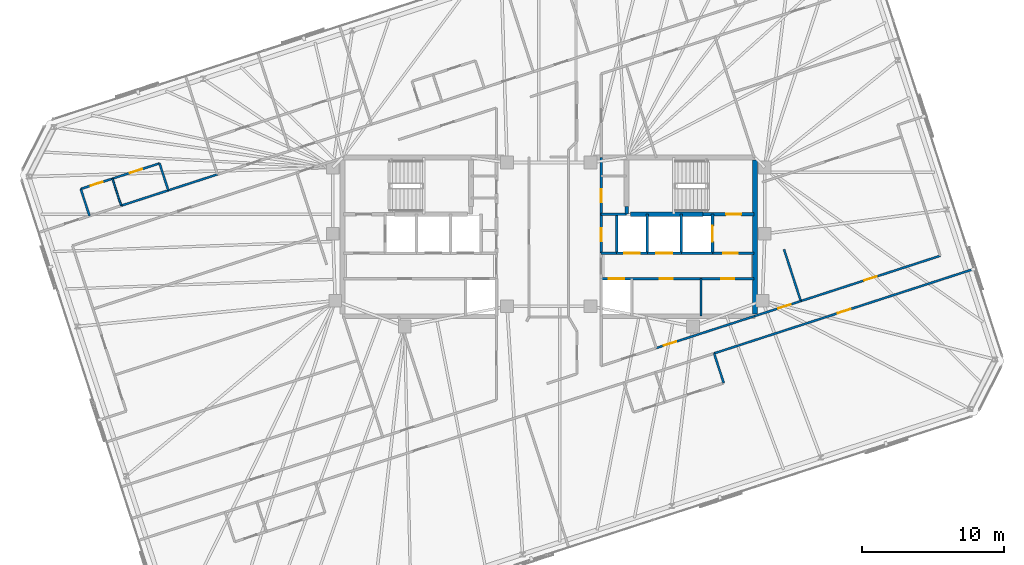
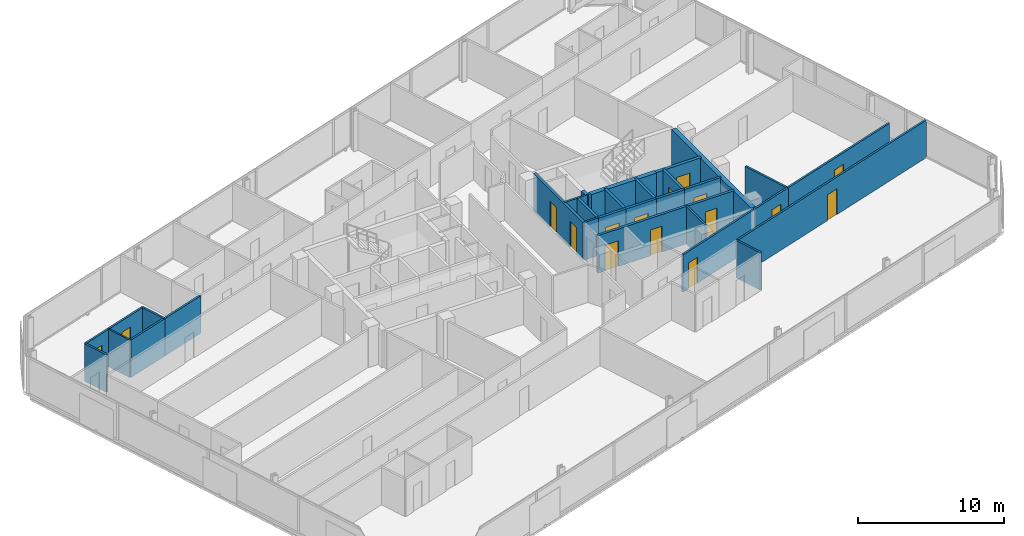
# One storey, part 15 of 19: 30 walls, 16 doors, 16 openings.
"""IFC4 building model written with IfcOpenShell, lengths in metres."""

import ifcopenshell
import ifcopenshell.guid

model = None  # the IFC model being written
_history = None  # IfcOwnerHistory: only IFC2X3 demands one
_inside = {}  # id of a spatial element -> (the spatial element, [elements in it])
_under = {}  # id of a project, library or spatial element -> (it, [spatial elements below it])
_declared = {}  # id of a project -> (the project, [libraries it declares])
_typed = {}  # id of a type object -> (the type object, [elements of that type])
_made_of = {}  # id of a material, layer set ... -> (it, [elements and type objects made of it])


def new_model(schema):
    """Start an empty IFC model of exactly this schema.

    Asked for "IFC4X3", IfcOpenShell would pick the latest addendum, in which some entities
    have other attributes; the version numbers below select the first issue.
    IFC2X3 requires an IfcOwnerHistory on every rooted entity: one is made here for all.
    """
    global model, _history
    if schema == "IFC4X3":
        model = ifcopenshell.file(schema_version=(4, 3, 0, 0))
    else:
        model = ifcopenshell.file(schema=schema)
    _inside.clear()
    _under.clear()
    _declared.clear()
    _typed.clear()
    _made_of.clear()
    _history = None
    if model.schema == "IFC2X3":
        org = make("IfcOrganization", Name="unknown")
        user = make(
            "IfcPersonAndOrganization",
            ThePerson=make("IfcPerson", FamilyName="unknown"),
            TheOrganization=org,
        )
        app = make(
            "IfcApplication",
            ApplicationDeveloper=org,
            Version="unknown",
            ApplicationFullName="unknown",
            ApplicationIdentifier="unknown",
        )
        _history = make(
            "IfcOwnerHistory",
            OwningUser=user,
            OwningApplication=app,
            ChangeAction="ADDED",
            CreationDate=0,
        )
    return model


def make(cls, **values):
    """One entity of the class cls with the attributes given. An attribute that is None is left unset."""
    return model.create_entity(
        cls, **{name: value for name, value in values.items() if value is not None}
    )


def rooted(cls, **values):
    """An entity with a GlobalId (a new one), such as an element, a storey or a relation."""
    return make(cls, GlobalId=ifcopenshell.guid.new(), OwnerHistory=_history, **values)


def si_unit(unit_type, name, prefix=None):
    """IfcSIUnit, for example si_unit("LENGTHUNIT", "METRE", prefix="MILLI")."""
    return make("IfcSIUnit", UnitType=unit_type, Prefix=prefix, Name=name)


def assignment(units):
    """IfcUnitAssignment: the units of a project."""
    return None if units is None else make("IfcUnitAssignment", Units=units)


def point(xyz):
    """IfcCartesianPoint."""
    return None if xyz is None else make("IfcCartesianPoint", Coordinates=xyz)


def direction(xyz):
    """IfcDirection."""
    return None if xyz is None else make("IfcDirection", DirectionRatios=xyz)


def frame(location, z_axis=None, x_axis=None):
    """IfcAxis2Placement3D, a coordinate frame: its origin and axes. An axis left out is left unset."""
    return make(
        "IfcAxis2Placement3D",
        Location=point(location),
        Axis=direction(z_axis),
        RefDirection=direction(x_axis),
    )


def frame_2d(location, x_axis=None):
    """IfcAxis2Placement2D, a coordinate frame in the plane: its origin and x axis."""
    return make(
        "IfcAxis2Placement2D", Location=point(location), RefDirection=direction(x_axis)
    )


def origin():
    """The frame at (0, 0, 0) with its axes left unset."""
    return frame((0.0, 0.0, 0.0))


def place(relative_to, where):
    """IfcLocalPlacement: puts the frame where relative to a parent placement (None: the world)."""
    return make(
        "IfcLocalPlacement", PlacementRelTo=relative_to, RelativePlacement=where
    )


def context(
    kind, dimensions, precision=None, world=None, true_north=None, identifier=None
):
    """IfcGeometricRepresentationContext, for example the 3D "Model" context."""
    return make(
        "IfcGeometricRepresentationContext",
        ContextIdentifier=identifier,
        ContextType=kind,
        CoordinateSpaceDimension=dimensions,
        Precision=precision,
        WorldCoordinateSystem=world,
        TrueNorth=true_north,
    )


def subcontext(parent, identifier, kind, view, scale=None):
    """IfcGeometricRepresentationSubContext, for example "Body" below "Model"."""
    return make(
        "IfcGeometricRepresentationSubContext",
        ContextIdentifier=identifier,
        ContextType=kind,
        ParentContext=parent,
        TargetScale=scale,
        TargetView=view,
    )


def project(units=None, contexts=None):
    """IfcProject with its units and contexts."""
    return rooted(
        "IfcProject",
        Name="project",
        RepresentationContexts=contexts,
        UnitsInContext=assignment(units),
    )


def spatial(cls, under=None, at=None, **own):
    """A site, building, storey or space (cls), placed at a placement, below another one or the project."""
    s = rooted(cls, ObjectPlacement=at, **own)
    if under is not None:
        _under.setdefault(under.id(), (under, []))[1].append(s)
    return s


def profile(cls, at=None, kind="AREA", **sizes):
    """A parametric profile (cls). Its sizes go by their IFC names, for example OverallWidth=200.0."""
    return make(cls, ProfileType=kind, Position=at, **sizes)


def rectangle(**sizes):
    """IfcRectangleProfileDef."""
    return profile("IfcRectangleProfileDef", **sizes)


def extrude(swept, where, along, depth):
    """IfcExtrudedAreaSolid: the profile swept, set in the frame where, extruded along a direction by depth."""
    return make(
        "IfcExtrudedAreaSolid",
        SweptArea=swept,
        Position=where,
        ExtrudedDirection=direction(along),
        Depth=depth,
    )


def shape(context_of_items, identifier, shape_type, items):
    """IfcShapeRepresentation: the items that make up one representation, for example the "Body"."""
    return make(
        "IfcShapeRepresentation",
        ContextOfItems=context_of_items,
        RepresentationIdentifier=identifier,
        RepresentationType=shape_type,
        Items=items,
    )


def material(Name=None, Category=None):
    """IfcMaterial."""
    return make("IfcMaterial", Name=Name, Category=Category)


def layer(
    of_material, thickness, ventilated=None, Name=None, Category=None, Priority=None
):
    """IfcMaterialLayer: one layer of a wall or slab, of a material (None: an air gap)."""
    return make(
        "IfcMaterialLayer",
        Material=of_material,
        LayerThickness=thickness,
        IsVentilated=ventilated,
        Name=Name,
        Category=Category,
        Priority=Priority,
    )


def layer_set(layers, Name=None):
    """IfcMaterialLayerSet."""
    return make("IfcMaterialLayerSet", MaterialLayers=layers, LayerSetName=Name)


def made_of(thing, what):
    """Note that an element or type object is made of a material, layer set ...; save() writes the relation."""
    if what is not None:
        _made_of.setdefault(what.id(), (what, []))[1].append(thing)
    return thing


def type_object(cls, material=None, **own):
    """A type object (cls), such as IfcWallType, which elements share."""
    return made_of(rooted(cls, **own), material)


def element(
    cls,
    number,
    at=None,
    inside=None,
    cuts=None,
    type_object=None,
    material=None,
    context=None,
    identifier="Body",
    shape_type=None,
    held_by="IfcProductDefinitionShape",
    body=None,
    shapes=None,
    **own,
):
    """One element of the class cls, such as IfcWall. Its Tag is "e" and its number.

    at: its placement. inside: the storey or other place that contains it. cuts: it is an
    opening in that element (IfcRelVoidsElement). A single representation is given by context,
    identifier, shape_type and body (its items); several are given by shapes. held_by: the class
    of the entity that holds the representations. save() writes the other relations.
    """
    e = rooted(cls, Tag="e%d" % number, ObjectPlacement=at, **own)
    if body is not None:
        shapes = [shape(context, identifier, shape_type, body)]
    if shapes is not None:
        e.Representation = make(held_by, Representations=shapes)
    if inside is not None:
        _inside.setdefault(inside.id(), (inside, []))[1].append(e)
    if cuts is not None:
        rooted(
            "IfcRelVoidsElement", RelatingBuildingElement=cuts, RelatedOpeningElement=e
        )
    if type_object is not None:
        _typed.setdefault(type_object.id(), (type_object, []))[1].append(e)
    return made_of(e, material)


def fill(opening, filler):
    """IfcRelFillsElement: the door or window that sits in an opening."""
    return rooted(
        "IfcRelFillsElement",
        RelatingOpeningElement=opening,
        RelatedBuildingElement=filler,
    )


def aggregate(whole, parts):
    """IfcRelAggregates: a whole, such as a stair, and the parts it consists of."""
    return rooted("IfcRelAggregates", RelatingObject=whole, RelatedObjects=parts)


def save(model, path):
    """Write the relations noted so far, then the file.

    IfcRelAggregates (storeys below a building ...), IfcRelContainedInSpatialStructure (elements
    in a storey), IfcRelDefinesByType, IfcRelAssociatesMaterial and IfcRelDeclares: one each for
    every whole, place, type object, material and project.
    """
    for whole, parts in _under.values():
        aggregate(whole, parts)
    for where, things in _inside.values():
        rooted(
            "IfcRelContainedInSpatialStructure",
            RelatedElements=things,
            RelatingStructure=where,
        )
    for kind, things in _typed.values():
        rooted("IfcRelDefinesByType", RelatedObjects=things, RelatingType=kind)
    for what, things in _made_of.values():
        rooted("IfcRelAssociatesMaterial", RelatedObjects=things, RelatingMaterial=what)
    for by, libraries in _declared.values():
        rooted("IfcRelDeclares", RelatingContext=by, RelatedDefinitions=libraries)
    model.write(path)


model = new_model("IFC4")

# Units and contexts
model_context = context("Model", 3, precision=1e-05, world=origin(), true_north=direction((0.0, 1.0)))
body_context = subcontext(model_context, "Body", "Model", "MODEL_VIEW")
ifc_project = project(units=[si_unit("LENGTHUNIT", "METRE"), si_unit("AREAUNIT", "SQUARE_METRE"), si_unit("VOLUMEUNIT", "CUBIC_METRE"), si_unit("PLANEANGLEUNIT", "RADIAN"), si_unit("MASSUNIT", "GRAM", prefix="KILO")], contexts=[model_context])

# Site, building, storey
site_placement = place(None, origin())
site = spatial("IfcSite", under=ifc_project, at=site_placement, CompositionType="ELEMENT")
building_placement = place(site_placement, origin())
building = spatial("IfcBuilding", under=site, at=building_placement, Name="Menara Jurai Vektor", CompositionType="ELEMENT")
storey_placement = place(building_placement, frame((0.0, 0.0, 210.89990234375)))
storey = spatial("IfcBuildingStorey", under=building, at=storey_placement, Name="L55", CompositionType="ELEMENT", Elevation=210.89990234375)

# Wall, opening, door
ifc_material_1 = material(Name="Concrete C40/50", Category="concrete")
ifc_layer_1 = layer(ifc_material_1, 0.25)
ifc_layer_set_1 = layer_set([ifc_layer_1], Name="Concrete C40/50")
wall_type_1 = type_object("IfcWallType", Name="INT-WALL-CORE-250", PredefinedType="STANDARD", material=ifc_layer_set_1)
wall_1_placement = place(storey_placement, frame((10.89990234375, 1.60009765625, 0.0), z_axis=(0.0, 0.0, 1.0), x_axis=(1.0, 0.0, 0.0)))
wall_1 = element("IfcWall", 1, at=wall_1_placement, inside=storey, type_object=wall_type_1, Name="Interior Wall IW-250 L55", PredefinedType="STANDARD", context=body_context, shape_type="SweptSolid", body=[
    extrude(rectangle(XDim=3.60009765625, YDim=0.25, at=frame_2d((1.800048828125, 0.0))), origin(), (0.0, 0.0, 1.0), 3.125),
])
opening_1_placement = place(wall_1_placement, frame((1.6201171875, 0.0, 0.0)))
opening_1 = element("IfcOpeningElement", 2, at=opening_1_placement, cuts=wall_1, Name="Opening D-L55-ST2", PredefinedType="OPENING", context=body_context, shape_type="SweptSolid", body=[
    extrude(rectangle(XDim=1.050048828125, YDim=2.14990234375, at=frame_2d((0.52490234375, 1.074951171875))), frame((0.0, 0.135009765625, 0.0), z_axis=(0.0, -1.0, 0.0), x_axis=(1.0, 0.0, 0.0)), (0.0, 0.0, 1.0), 0.27001953125),
])
ifc_material_2 = material(Name="Fire-Rated Steel Door", Category="steel")
door_type_1 = type_object("IfcDoorType", Name="DR-STAIR-1050", OperationType="NOTDEFINED", PredefinedType="DOOR", material=ifc_material_2)
door_1_placement = place(opening_1_placement, origin())
door_1 = element("IfcDoor", 3, at=door_1_placement, inside=storey, type_object=door_type_1, Name="Exit Stair ST2 Door L55", OperationType="SINGLE_SWING_LEFT", OverallHeight=2.14990234375, OverallWidth=1.050048828125, PredefinedType="DOOR", context=body_context, shape_type="SweptSolid", body=[
    extrude(rectangle(XDim=1.050048828125, YDim=2.14990234375, at=frame_2d((0.52490234375, 1.074951171875))), frame((0.0, 0.02490234375, 0.0), z_axis=(0.0, -1.0, 0.0), x_axis=(1.0, 0.0, 0.0)), (0.0, 0.0, 1.0), 0.050048828125),
])
fill(opening_1, door_1)

# Wall
wall_2_placement = place(storey_placement, frame((5.5, 1.60009765625, 0.0), z_axis=(0.0, 0.0, 1.0), x_axis=(0.0, 1.0, 0.0)))
element("IfcWall", 4, at=wall_2_placement, inside=storey, type_object=wall_type_1, Name="Interior Wall IW-250 L55", PredefinedType="STANDARD", context=body_context, shape_type="SweptSolid", body=[
    extrude(rectangle(XDim=0.5498046875, YDim=0.25, at=frame_2d((0.27490234375, 0.0))), origin(), (0.0, 0.0, 1.0), 3.125),
])

# Wall, opening, door
wall_3_placement = place(storey_placement, frame((11.550048828125, -1.14990234375, 0.0), z_axis=(0.0, 0.0, 1.0), x_axis=(0.0, 1.0, 0.0)))
wall_3 = element("IfcWall", 5, at=wall_3_placement, inside=storey, type_object=wall_type_1, Name="Interior Wall IW-250 L55", PredefinedType="STANDARD", context=body_context, shape_type="SweptSolid", body=[
    extrude(rectangle(XDim=2.75, YDim=0.199951171875, at=frame_2d((1.375, 0.0))), origin(), (0.0, 0.0, 1.0), 3.125),
])
opening_2_placement = place(wall_3_placement, frame((0.824951171875, 0.0, 0.0)))
opening_2 = element("IfcOpeningElement", 6, at=opening_2_placement, cuts=wall_3, Name="Opening LD-L55-FL2", PredefinedType="OPENING", context=body_context, shape_type="SweptSolid", body=[
    extrude(rectangle(XDim=1.10009765625, YDim=2.14990234375, at=frame_2d((0.550048828125, 1.074951171875))), frame((0.0, 0.10986328125, 0.0), z_axis=(0.0, -1.0, 0.0), x_axis=(1.0, 0.0, 0.0)), (0.0, 0.0, 1.0), 0.219970703125),
])
ifc_material_3 = material(Name="Stainless Steel Sliding Lift Landing Door", Category="steel")
door_type_2 = type_object("IfcDoorType", Name="DR-LIFT-FIRE-1100", OperationType="NOTDEFINED", PredefinedType="DOOR", material=ifc_material_3)
door_2_placement = place(opening_2_placement, origin())
door_2 = element("IfcDoor", 7, at=door_2_placement, inside=storey, type_object=door_type_2, Name="Lift Landing Door FL2 L55", OperationType="SLIDING_TO_RIGHT", OverallHeight=2.14990234375, OverallWidth=1.10009765625, PredefinedType="DOOR", context=body_context, shape_type="SweptSolid", body=[
    extrude(rectangle(XDim=1.10009765625, YDim=2.14990234375, at=frame_2d((0.550048828125, 1.074951171875))), frame((0.0, 0.02490234375, 0.0), z_axis=(0.0, -1.0, 0.0), x_axis=(1.0, 0.0, 0.0)), (0.0, 0.0, 1.0), 0.050048828125),
])
fill(opening_2, door_2)

# Wall
wall_4_placement = place(storey_placement, frame((9.35009765625, -1.14990234375, 0.0), z_axis=(0.0, 0.0, 1.0), x_axis=(0.0, 1.0, 0.0)))
element("IfcWall", 8, at=wall_4_placement, inside=storey, type_object=wall_type_1, Name="Interior Wall IW-250 L55", PredefinedType="STANDARD", context=body_context, shape_type="SweptSolid", body=[
    extrude(rectangle(XDim=2.75, YDim=0.199951171875, at=frame_2d((1.375, 0.0))), origin(), (0.0, 0.0, 1.0), 3.125),
])

# Wall, opening, door
wall_5_placement = place(storey_placement, frame((11.550048828125, -1.14990234375, 0.0), z_axis=(0.0, 0.0, 1.0), x_axis=(1.0, 0.0, 0.0)))
wall_5 = element("IfcWall", 9, at=wall_5_placement, inside=storey, type_object=wall_type_1, Name="Interior Wall IW-250 L55", PredefinedType="STANDARD", context=body_context, shape_type="SweptSolid", body=[
    extrude(rectangle(XDim=2.949951171875, YDim=0.199951171875, at=frame_2d((1.47509765625, 0.0))), origin(), (0.0, 0.0, 1.0), 3.125),
])
opening_3_placement = place(wall_5_placement, frame((0.75, 0.0, 0.0)))
opening_3 = element("IfcOpeningElement", 10, at=opening_3_placement, cuts=wall_5, Name="Opening D-L55-FFE", PredefinedType="OPENING", context=body_context, shape_type="SweptSolid", body=[
    extrude(rectangle(XDim=1.050048828125, YDim=2.179931640625, at=frame_2d((0.52490234375, 1.08984375))), frame((0.0, 0.10986328125, 0.0), z_axis=(0.0, -1.0, 0.0), x_axis=(1.0, 0.0, 0.0)), (0.0, 0.0, 1.0), 0.219970703125),
])
ifc_material_4 = material(Name="Fire-Rated Timber Door", Category="wood")
door_type_3 = type_object("IfcDoorType", Name="DR-LOBBY-1050", OperationType="NOTDEFINED", PredefinedType="DOOR", material=ifc_material_4)
door_3_placement = place(opening_3_placement, origin())
door_3 = element("IfcDoor", 11, at=door_3_placement, inside=storey, type_object=door_type_3, Name="Fire Lift Lobby Door E L55", OperationType="SINGLE_SWING_LEFT", OverallHeight=2.179931640625, OverallWidth=1.050048828125, PredefinedType="DOOR", context=body_context, shape_type="SweptSolid", body=[
    extrude(rectangle(XDim=1.050048828125, YDim=2.179931640625, at=frame_2d((0.52490234375, 1.08984375))), frame((0.0, 0.02490234375, 0.0), z_axis=(0.0, -1.0, 0.0), x_axis=(1.0, 0.0, 0.0)), (0.0, 0.0, 1.0), 0.050048828125),
])
fill(opening_3, door_3)

# Walls
wall_6_placement = place(storey_placement, frame((9.35009765625, -1.14990234375, 0.0), z_axis=(0.0, 0.0, 1.0), x_axis=(1.0, 0.0, 0.0)))
element("IfcWall", 12, at=wall_6_placement, inside=storey, type_object=wall_type_1, Name="Interior Wall IW-250 L55", PredefinedType="STANDARD", context=body_context, shape_type="SweptSolid", body=[
    extrude(rectangle(XDim=2.199951171875, YDim=0.199951171875, at=frame_2d((1.10009765625, 0.0))), origin(), (0.0, 0.0, 1.0), 3.125),
])
ifc_material_5 = material(Name="Gypsum Fireboard Partition", Category="gypsum")
ifc_layer_2 = layer(ifc_material_5, 0.14990234375)
ifc_layer_set_2 = layer_set([ifc_layer_2], Name="Gypsum Fireboard Partition")
wall_type_2 = type_object("IfcWallType", Name="INT-WALL-CORR-150", PredefinedType="PARTITIONING", material=ifc_layer_set_2)
wall_7_placement = place(storey_placement, frame((3.699951171875, -1.14990234375, 0.0), z_axis=(0.0, 0.0, 1.0), x_axis=(1.0, 0.0, 0.0)))
element("IfcWall", 13, at=wall_7_placement, inside=storey, type_object=wall_type_2, Name="Interior Wall IW-150 L55", PredefinedType="PARTITIONING", context=body_context, shape_type="SweptSolid", body=[
    extrude(rectangle(XDim=1.090087890625, YDim=0.14990234375, at=frame_2d((0.544921875, 0.0))), origin(), (0.0, 0.0, 1.0), 3.125),
])
wall_8_placement = place(storey_placement, frame((10.739990234375, -5.60009765625, 0.0), z_axis=(0.0, 0.0, 1.0), x_axis=(0.0, 1.0, 0.0)))
element("IfcWall", 14, at=wall_8_placement, inside=storey, type_object=wall_type_2, Name="Interior Wall IW-150 L55", PredefinedType="PARTITIONING", context=body_context, shape_type="SweptSolid", body=[
    extrude(rectangle(XDim=2.650146484375, YDim=0.14990234375, at=frame_2d((1.3251953125, 0.0))), origin(), (0.0, 0.0, 1.0), 3.125),
])
wall_9_placement = place(storey_placement, frame((3.699951171875, 1.60009765625, 0.0), z_axis=(0.0, 0.0, 1.0), x_axis=(1.0, 0.0, 0.0)))
element("IfcWall", 15, at=wall_9_placement, inside=storey, type_object=wall_type_2, Name="Interior Wall IW-150 L55", PredefinedType="PARTITIONING", context=body_context, shape_type="SweptSolid", body=[
    extrude(rectangle(XDim=1.800048828125, YDim=0.14990234375, at=frame_2d((0.89990234375, 0.0))), origin(), (0.0, 0.0, 1.0), 3.125),
])
wall_10_placement = place(storey_placement, frame((-26.864990234375, 3.2861328125, 0.0), z_axis=(0.0, 0.0, 1.0), x_axis=(0.951057168147, 0.309014988174, 0.0)))
element("IfcWall", 16, at=wall_10_placement, inside=storey, type_object=wall_type_2, Name="Interior Wall IW-150 L55", PredefinedType="PARTITIONING", context=body_context, shape_type="SweptSolid", body=[
    extrude(rectangle(XDim=3.650146484375, YDim=0.14990234375, at=frame_2d((1.8251953125, 0.0))), origin(), (0.0, 0.0, 1.0), 3.125),
])
wall_11_placement = place(storey_placement, frame((-30.191650390625, 2.205322265625, 0.0), z_axis=(0.0, 0.0, 1.0), x_axis=(0.951063814176, 0.308994532905, 0.0)))
element("IfcWall", 17, at=wall_11_placement, inside=storey, type_object=wall_type_2, Name="Interior Wall IW-150 L55", PredefinedType="PARTITIONING", context=body_context, shape_type="SweptSolid", body=[
    extrude(rectangle(XDim=3.497802734375, YDim=0.14990234375, at=frame_2d((1.7490234375, 0.0))), origin(), (0.0, 0.0, 1.0), 3.125),
])

# Wall, opening, door
wall_12_placement = place(storey_placement, frame((11.668701171875, -8.223388671875, 0.0), z_axis=(0.0, 0.0, 1.0), x_axis=(0.951057967787, 0.309012527106, 0.0)))
wall_12 = element("IfcWall", 18, at=wall_12_placement, inside=storey, type_object=wall_type_2, Name="Interior Wall IW-150 L55", PredefinedType="PARTITIONING", context=body_context, shape_type="SweptSolid", body=[
    extrude(rectangle(XDim=19.291015625, YDim=0.14990234375, at=frame_2d((9.6455078125, 0.0))), origin(), (0.0, 0.0, 1.0), 3.125),
])
opening_4_placement = place(wall_12_placement, frame((9.17041015625, 0.0, 0.0)))
opening_4 = element("IfcOpeningElement", 19, at=opening_4_placement, cuts=wall_12, Name="Opening D55-22", PredefinedType="OPENING", context=body_context, shape_type="SweptSolid", body=[
    extrude(rectangle(XDim=0.949951171875, YDim=2.14990234375, at=frame_2d((0.47509765625, 1.074951171875))), frame((0.0, 0.0849609375, 0.0), z_axis=(0.0, -1.0, 0.0), x_axis=(1.0, 0.0, 0.0)), (0.0, 0.0, 1.0), 0.169921875),
])
ifc_material_6 = material(Name="Solid Core Timber Fire Door", Category="wood")
door_type_4 = type_object("IfcDoorType", Name="DR-ENTRY-950", OperationType="NOTDEFINED", PredefinedType="DOOR", material=ifc_material_6)
door_4_placement = place(opening_4_placement, origin())
door_4 = element("IfcDoor", 20, at=door_4_placement, inside=storey, type_object=door_type_4, Name="Interior Door D55-22", OperationType="SINGLE_SWING_RIGHT", OverallHeight=2.14990234375, OverallWidth=0.949951171875, PredefinedType="DOOR", context=body_context, shape_type="SweptSolid", body=[
    extrude(rectangle(XDim=0.949951171875, YDim=2.14990234375, at=frame_2d((0.47509765625, 1.074951171875))), frame((0.0, 0.02490234375, 0.0), z_axis=(0.0, -1.0, 0.0), x_axis=(1.0, 0.0, 0.0)), (0.0, 0.0, 1.0), 0.050048828125),
])
fill(opening_4, door_4)

wall_13_placement = place(storey_placement, frame((7.58837890625, -7.845947265625, 0.0), z_axis=(0.0, 0.0, 1.0), x_axis=(0.951058013903, 0.309012385174, 0.0)))
wall_13 = element("IfcWall", 21, at=wall_13_placement, inside=storey, type_object=wall_type_2, Name="Interior Wall IW-150 L55", PredefinedType="PARTITIONING", context=body_context, shape_type="SweptSolid", body=[
    extrude(rectangle(XDim=7.26708984375, YDim=0.14990234375, at=frame_2d((3.633544921875, 0.0))), origin(), (0.0, 0.0, 1.0), 3.125),
])
opening_5_placement = place(wall_13_placement, frame((0.557373046875, 0.0, 0.0)))
opening_5 = element("IfcOpeningElement", 22, at=opening_5_placement, cuts=wall_13, Name="Opening D55-33", PredefinedType="OPENING", context=body_context, shape_type="SweptSolid", body=[
    extrude(rectangle(XDim=0.919921875, YDim=2.14990234375, at=frame_2d((0.4599609375, 1.074951171875))), frame((0.0, 0.0849609375, 0.0), z_axis=(0.0, -1.0, 0.0), x_axis=(1.0, 0.0, 0.0)), (0.0, 0.0, 1.0), 0.169921875),
])
door_5_placement = place(opening_5_placement, origin())
door_5 = element("IfcDoor", 23, at=door_5_placement, inside=storey, type_object=door_type_4, Name="Interior Door D55-33", OperationType="SINGLE_SWING_LEFT", OverallHeight=2.14990234375, OverallWidth=0.919921875, PredefinedType="DOOR", context=body_context, shape_type="SweptSolid", body=[
    extrude(rectangle(XDim=0.919921875, YDim=2.14990234375, at=frame_2d((0.4599609375, 1.074951171875))), frame((0.0, 0.02490234375, 0.0), z_axis=(0.0, -1.0, 0.0), x_axis=(1.0, 0.0, 0.0)), (0.0, 0.0, 1.0), 0.050048828125),
])
fill(opening_5, door_5)

wall_14_placement = place(storey_placement, frame((14.499755859375, -5.600341796875, 0.0), z_axis=(0.0, 0.0, 1.0), x_axis=(0.951047546178, 0.309044600193, 0.0)))
wall_14 = element("IfcWall", 24, at=wall_14_placement, inside=storey, type_object=wall_type_2, Name="Interior Wall IW-150 L55", PredefinedType="PARTITIONING", context=body_context, shape_type="SweptSolid", body=[
    extrude(rectangle(XDim=3.4609375, YDim=0.14990234375, at=frame_2d((1.73046875, 0.0))), origin(), (0.0, 0.0, 1.0), 3.125),
])
opening_6_placement = place(wall_14_placement, frame((1.78955078125, 0.0, 0.0)))
opening_6 = element("IfcOpeningElement", 25, at=opening_6_placement, cuts=wall_14, Name="Opening D55-35", PredefinedType="OPENING", context=body_context, shape_type="SweptSolid", body=[
    extrude(rectangle(XDim=0.919921875, YDim=2.14990234375, at=frame_2d((0.4599609375, 1.074951171875))), frame((0.0, 0.0849609375, 0.0), z_axis=(0.0, -1.0, 0.0), x_axis=(1.0, 0.0, 0.0)), (0.0, 0.0, 1.0), 0.169921875),
])
door_6_placement = place(opening_6_placement, origin())
door_6 = element("IfcDoor", 26, at=door_6_placement, inside=storey, type_object=door_type_4, Name="Interior Door D55-35", OperationType="SINGLE_SWING_LEFT", OverallHeight=2.14990234375, OverallWidth=0.919921875, PredefinedType="DOOR", context=body_context, shape_type="SweptSolid", body=[
    extrude(rectangle(XDim=0.919921875, YDim=2.14990234375, at=frame_2d((0.4599609375, 1.074951171875))), frame((0.0, 0.02490234375, 0.0), z_axis=(0.0, -1.0, 0.0), x_axis=(1.0, 0.0, 0.0)), (0.0, 0.0, 1.0), 0.050048828125),
])
fill(opening_6, door_6)

wall_15_placement = place(storey_placement, frame((17.791259765625, -4.53076171875, 0.0), z_axis=(0.0, 0.0, 1.0), x_axis=(0.951056769902, 0.309016213852, 0.0)))
wall_15 = element("IfcWall", 27, at=wall_15_placement, inside=storey, type_object=wall_type_2, Name="Interior Wall IW-150 L55", PredefinedType="PARTITIONING", context=body_context, shape_type="SweptSolid", body=[
    extrude(rectangle(XDim=10.35205078125, YDim=0.14990234375, at=frame_2d((5.176025390625, 0.0))), origin(), (0.0, 0.0, 1.0), 3.125),
])
opening_7_placement = place(wall_15_placement, frame((4.716064453125, 0.0, 0.0)))
opening_7 = element("IfcOpeningElement", 28, at=opening_7_placement, cuts=wall_15, Name="Opening D55-47", PredefinedType="OPENING", context=body_context, shape_type="SweptSolid", body=[
    extrude(rectangle(XDim=0.919921875, YDim=2.14990234375, at=frame_2d((0.4599609375, 1.074951171875))), frame((0.0, 0.0849609375, 0.0), z_axis=(0.0, -1.0, 0.0), x_axis=(1.0, 0.0, 0.0)), (0.0, 0.0, 1.0), 0.169921875),
])
door_7_placement = place(opening_7_placement, origin())
door_7 = element("IfcDoor", 29, at=door_7_placement, inside=storey, type_object=door_type_4, Name="Interior Door D55-47", OperationType="SINGLE_SWING_LEFT", OverallHeight=2.14990234375, OverallWidth=0.919921875, PredefinedType="DOOR", context=body_context, shape_type="SweptSolid", body=[
    extrude(rectangle(XDim=0.919921875, YDim=2.14990234375, at=frame_2d((0.4599609375, 1.074951171875))), frame((0.0, 0.02490234375, 0.0), z_axis=(0.0, -1.0, 0.0), x_axis=(1.0, 0.0, 0.0)), (0.0, 0.0, 1.0), 0.050048828125),
])
fill(opening_7, door_7)

# Wall
wall_16_placement = place(storey_placement, frame((-32.4267578125, 1.47900390625, 0.0), z_axis=(0.0, 0.0, 1.0), x_axis=(-0.309022749039, 0.951054646472, 0.0)))
element("IfcWall", 30, at=wall_16_placement, inside=storey, type_object=wall_type_2, Name="Interior Wall IW-150 L55", PredefinedType="PARTITIONING", context=body_context, shape_type="SweptSolid", body=[
    extrude(rectangle(XDim=2.005126953125, YDim=0.14990234375, at=frame_2d((1.00244140625, 0.0))), origin(), (0.0, 0.0, 1.0), 3.125),
])

# Wall, opening, door
wall_17_placement = place(storey_placement, frame((-33.04638671875, 3.385986328125, 0.0), z_axis=(0.0, 0.0, 1.0), x_axis=(0.951045519245, 0.309050837767, 0.0)))
wall_17 = element("IfcWall", 31, at=wall_17_placement, inside=storey, type_object=wall_type_2, Name="Interior Wall IW-150 L55", PredefinedType="PARTITIONING", context=body_context, shape_type="SweptSolid", body=[
    extrude(rectangle(XDim=2.35009765625, YDim=0.14990234375, at=frame_2d((1.175048828125, 0.0))), origin(), (0.0, 0.0, 1.0), 3.125),
])
opening_8_placement = place(wall_17_placement, frame((0.735107421875, 0.0, 0.0)))
opening_8 = element("IfcOpeningElement", 32, at=opening_8_placement, cuts=wall_17, Name="Opening D55-11", PredefinedType="OPENING", context=body_context, shape_type="SweptSolid", body=[
    extrude(rectangle(XDim=0.8798828125, YDim=2.14990234375, at=frame_2d((0.43994140625, 1.074951171875))), frame((0.0, 0.0849609375, 0.0), z_axis=(0.0, -1.0, 0.0), x_axis=(1.0, 0.0, 0.0)), (0.0, 0.0, 1.0), 0.169921875),
])
ifc_material_7 = material(Name="Moisture-Resistant Timber Door", Category="wood")
door_type_5 = type_object("IfcDoorType", Name="DR-BATH-880", OperationType="NOTDEFINED", PredefinedType="DOOR", material=ifc_material_7)
door_8_placement = place(opening_8_placement, origin())
door_8 = element("IfcDoor", 33, at=door_8_placement, inside=storey, type_object=door_type_5, Name="Interior Door D55-11", OperationType="SINGLE_SWING_LEFT", OverallHeight=2.14990234375, OverallWidth=0.8798828125, PredefinedType="DOOR", context=body_context, shape_type="SweptSolid", body=[
    extrude(rectangle(XDim=0.8798828125, YDim=2.14990234375, at=frame_2d((0.43994140625, 1.074951171875))), frame((0.0, 0.02490234375, 0.0), z_axis=(0.0, -1.0, 0.0), x_axis=(1.0, 0.0, 0.0)), (0.0, 0.0, 1.0), 0.050048828125),
])
fill(opening_8, door_8)

wall_18_placement = place(storey_placement, frame((-30.811279296875, 4.1123046875, 0.0), z_axis=(0.0, 0.0, 1.0), x_axis=(0.951063814176, 0.308994532905, 0.0)))
wall_18 = element("IfcWall", 34, at=wall_18_placement, inside=storey, type_object=wall_type_2, Name="Interior Wall IW-150 L55", PredefinedType="PARTITIONING", context=body_context, shape_type="SweptSolid", body=[
    extrude(rectangle(XDim=3.497802734375, YDim=0.14990234375, at=frame_2d((1.7490234375, 0.0))), origin(), (0.0, 0.0, 1.0), 3.125),
])
opening_9_placement = place(wall_18_placement, frame((1.299072265625, 0.0, 0.0)))
opening_9 = element("IfcOpeningElement", 35, at=opening_9_placement, cuts=wall_18, Name="Opening D55-12", PredefinedType="OPENING", context=body_context, shape_type="SweptSolid", body=[
    extrude(rectangle(XDim=0.89990234375, YDim=2.14990234375, at=frame_2d((0.449951171875, 1.074951171875))), frame((0.0, 0.0849609375, 0.0), z_axis=(0.0, -1.0, 0.0), x_axis=(1.0, 0.0, 0.0)), (0.0, 0.0, 1.0), 0.169921875),
])
ifc_material_8 = material(Name="Acoustic Timber Interior Door", Category="wood")
door_type_6 = type_object("IfcDoorType", Name="DR-ROOM-900", OperationType="NOTDEFINED", PredefinedType="DOOR", material=ifc_material_8)
door_9_placement = place(opening_9_placement, origin())
door_9 = element("IfcDoor", 36, at=door_9_placement, inside=storey, type_object=door_type_6, Name="Interior Door D55-12", OperationType="SINGLE_SWING_RIGHT", OverallHeight=2.14990234375, OverallWidth=0.89990234375, PredefinedType="DOOR", context=body_context, shape_type="SweptSolid", body=[
    extrude(rectangle(XDim=0.89990234375, YDim=2.14990234375, at=frame_2d((0.449951171875, 1.074951171875))), frame((0.0, 0.02490234375, 0.0), z_axis=(0.0, -1.0, 0.0), x_axis=(1.0, 0.0, 0.0)), (0.0, 0.0, 1.0), 0.050048828125),
])
fill(opening_9, door_9)

# Walls
wall_19_placement = place(storey_placement, frame((-26.864990234375, 3.2861328125, 0.0), z_axis=(0.0, 0.0, 1.0), x_axis=(-0.309022749039, 0.951054646472, 0.0)))
element("IfcWall", 37, at=wall_19_placement, inside=storey, type_object=wall_type_2, Name="Interior Wall IW-150 L55", PredefinedType="PARTITIONING", context=body_context, shape_type="SweptSolid", body=[
    extrude(rectangle(XDim=2.005126953125, YDim=0.14990234375, at=frame_2d((1.00244140625, 0.0))), origin(), (0.0, 0.0, 1.0), 3.125),
])
wall_20_placement = place(storey_placement, frame((12.3486328125, -10.31591796875, 0.0), z_axis=(0.0, 0.0, 1.0), x_axis=(-0.309028364152, 0.951052821956, 0.0)))
element("IfcWall", 38, at=wall_20_placement, inside=storey, type_object=wall_type_2, Name="Interior Wall IW-150 L55", PredefinedType="PARTITIONING", context=body_context, shape_type="SweptSolid", body=[
    extrude(rectangle(XDim=2.2001953125, YDim=0.14990234375, at=frame_2d((1.10009765625, 0.0))), origin(), (0.0, 0.0, 1.0), 3.125),
])
wall_21_placement = place(storey_placement, frame((17.791259765625, -4.53076171875, 0.0), z_axis=(0.0, 0.0, 1.0), x_axis=(-0.309018414265, 0.951056054944, 0.0)))
element("IfcWall", 39, at=wall_21_placement, inside=storey, type_object=wall_type_2, Name="Interior Wall IW-150 L55", PredefinedType="PARTITIONING", context=body_context, shape_type="SweptSolid", body=[
    extrude(rectangle(XDim=3.8349609375, YDim=0.14990234375, at=frame_2d((1.91748046875, 0.0))), origin(), (0.0, 0.0, 1.0), 3.125),
])
ifc_material_9 = material(Name="Gypsum Acoustic Stud Partition", Category="gypsum")
ifc_layer_3 = layer(ifc_material_9, 0.1201171875)
ifc_layer_set_3 = layer_set([ifc_layer_3], Name="Gypsum Acoustic Stud Partition")
wall_type_3 = type_object("IfcWallType", Name="INT-WALL-PART-120", PredefinedType="PARTITIONING", material=ifc_layer_set_3)
wall_22_placement = place(storey_placement, frame((-30.191650390625, 2.205322265625, 0.0), z_axis=(0.0, 0.0, 1.0), x_axis=(-0.309022749039, 0.951054646472, 0.0)))
element("IfcWall", 40, at=wall_22_placement, inside=storey, type_object=wall_type_3, Name="Interior Wall IW-120 L55", PredefinedType="PARTITIONING", context=body_context, shape_type="SweptSolid", body=[
    extrude(rectangle(XDim=2.005126953125, YDim=0.1201171875, at=frame_2d((1.00244140625, 0.0))), origin(), (0.0, 0.0, 1.0), 3.125),
])

# Wall, openings, doors
ifc_layer_4 = layer(ifc_material_1, 0.199951171875)
ifc_layer_set_4 = layer_set([ifc_layer_4], Name="Concrete C40/50")
wall_type_4 = type_object("IfcWallType", Name="INT-WALL-SHAFT-200", PredefinedType="STANDARD", material=ifc_layer_set_4)
wall_23_placement = place(storey_placement, frame((3.699951171875, -1.14990234375, 0.0), z_axis=(0.0, 0.0, 1.0), x_axis=(0.0, 1.0, 0.0)))
wall_23 = element("IfcWall", 41, at=wall_23_placement, inside=storey, type_object=wall_type_4, Name="Interior Wall IW-200 L55", PredefinedType="STANDARD", context=body_context, shape_type="SweptSolid", body=[
    extrude(rectangle(XDim=6.75, YDim=0.199951171875, at=frame_2d((3.375, 0.0))), origin(), (0.0, 0.0, 1.0), 3.125),
])
opening_10_placement = place(wall_23_placement, frame((3.60009765625, 0.0, 0.0)))
opening_10 = element("IfcOpeningElement", 42, at=opening_10_placement, cuts=wall_23, Name="Opening D55-07", PredefinedType="OPENING", context=body_context, shape_type="SweptSolid", body=[
    extrude(rectangle(XDim=0.919921875, YDim=2.14990234375, at=frame_2d((0.4599609375, 1.074951171875))), frame((0.0, 0.10986328125, 0.0), z_axis=(0.0, -1.0, 0.0), x_axis=(1.0, 0.0, 0.0)), (0.0, 0.0, 1.0), 0.219970703125),
])
opening_11_placement = place(wall_23_placement, frame((0.85009765625, 0.0, 0.0)))
opening_11 = element("IfcOpeningElement", 43, at=opening_11_placement, cuts=wall_23, Name="Opening D55-08", PredefinedType="OPENING", context=body_context, shape_type="SweptSolid", body=[
    extrude(rectangle(XDim=0.89990234375, YDim=2.14990234375, at=frame_2d((0.449951171875, 1.074951171875))), frame((0.0, 0.10986328125, 0.0), z_axis=(0.0, -1.0, 0.0), x_axis=(1.0, 0.0, 0.0)), (0.0, 0.0, 1.0), 0.219970703125),
])
door_10_placement = place(opening_10_placement, origin())
door_10 = element("IfcDoor", 44, at=door_10_placement, inside=storey, type_object=door_type_4, Name="Interior Door D55-07", OperationType="SINGLE_SWING_RIGHT", OverallHeight=2.14990234375, OverallWidth=0.919921875, PredefinedType="DOOR", context=body_context, shape_type="SweptSolid", body=[
    extrude(rectangle(XDim=0.919921875, YDim=2.14990234375, at=frame_2d((0.4599609375, 1.074951171875))), frame((0.0, 0.02490234375, 0.0), z_axis=(0.0, -1.0, 0.0), x_axis=(1.0, 0.0, 0.0)), (0.0, 0.0, 1.0), 0.050048828125),
])
fill(opening_10, door_10)
door_11_placement = place(opening_11_placement, origin())
door_11 = element("IfcDoor", 45, at=door_11_placement, inside=storey, type_object=door_type_4, Name="Interior Door D55-08", OperationType="SINGLE_SWING_RIGHT", OverallHeight=2.14990234375, OverallWidth=0.89990234375, PredefinedType="DOOR", context=body_context, shape_type="SweptSolid", body=[
    extrude(rectangle(XDim=0.89990234375, YDim=2.14990234375, at=frame_2d((0.449951171875, 1.074951171875))), frame((0.0, 0.02490234375, 0.0), z_axis=(0.0, -1.0, 0.0), x_axis=(1.0, 0.0, 0.0)), (0.0, 0.0, 1.0), 0.050048828125),
])
fill(opening_11, door_11)

# Wall
wall_24_placement = place(storey_placement, frame((6.949951171875, -1.14990234375, 0.0), z_axis=(0.0, 0.0, 1.0), x_axis=(0.0, 1.0, 0.0)))
element("IfcWall", 46, at=wall_24_placement, inside=storey, type_object=wall_type_4, Name="Interior Wall IW-200 L55", PredefinedType="STANDARD", context=body_context, shape_type="SweptSolid", body=[
    extrude(rectangle(XDim=2.75, YDim=0.199951171875, at=frame_2d((1.375, 0.0))), origin(), (0.0, 0.0, 1.0), 3.125),
])

# Wall, opening, door
wall_25_placement = place(storey_placement, frame((6.949951171875, -1.14990234375, 0.0), z_axis=(0.0, 0.0, 1.0), x_axis=(1.0, 0.0, 0.0)))
wall_25 = element("IfcWall", 47, at=wall_25_placement, inside=storey, type_object=wall_type_4, Name="Interior Wall IW-200 L55", PredefinedType="STANDARD", context=body_context, shape_type="SweptSolid", body=[
    extrude(rectangle(XDim=2.400146484375, YDim=0.199951171875, at=frame_2d((1.2001953125, 0.0))), origin(), (0.0, 0.0, 1.0), 3.125),
])
opening_12_placement = place(wall_25_placement, frame((0.64990234375, 0.0, 0.0)))
opening_12 = element("IfcOpeningElement", 48, at=opening_12_placement, cuts=wall_25, Name="Opening LD-L55-SVL2", PredefinedType="OPENING", context=body_context, shape_type="SweptSolid", body=[
    extrude(rectangle(XDim=1.10009765625, YDim=2.14990234375, at=frame_2d((0.550048828125, 1.074951171875))), frame((0.0, 0.10986328125, 0.0), z_axis=(0.0, -1.0, 0.0), x_axis=(1.0, 0.0, 0.0)), (0.0, 0.0, 1.0), 0.219970703125),
])
ifc_material_10 = material(Name="Anodised Stainless Sliding Lift Landing Door", Category="steel")
door_type_7 = type_object("IfcDoorType", Name="DR-LIFT-PASS-1100", OperationType="NOTDEFINED", PredefinedType="DOOR", material=ifc_material_10)
door_12_placement = place(opening_12_placement, origin())
door_12 = element("IfcDoor", 49, at=door_12_placement, inside=storey, type_object=door_type_7, Name="Lift Landing Door SVL2 L55", OperationType="SLIDING_TO_RIGHT", OverallHeight=2.14990234375, OverallWidth=1.10009765625, PredefinedType="DOOR", context=body_context, shape_type="SweptSolid", body=[
    extrude(rectangle(XDim=1.10009765625, YDim=2.14990234375, at=frame_2d((0.550048828125, 1.074951171875))), frame((0.0, 0.02490234375, 0.0), z_axis=(0.0, -1.0, 0.0), x_axis=(1.0, 0.0, 0.0)), (0.0, 0.0, 1.0), 0.050048828125),
])
fill(opening_12, door_12)

# Wall
wall_26_placement = place(storey_placement, frame((4.7900390625, -1.14990234375, 0.0), z_axis=(0.0, 0.0, 1.0), x_axis=(0.0, 1.0, 0.0)))
element("IfcWall", 50, at=wall_26_placement, inside=storey, type_object=wall_type_4, Name="Interior Wall IW-200 L55", PredefinedType="STANDARD", context=body_context, shape_type="SweptSolid", body=[
    extrude(rectangle(XDim=2.75, YDim=0.199951171875, at=frame_2d((1.375, 0.0))), origin(), (0.0, 0.0, 1.0), 3.125),
])

# Wall, opening, door
wall_27_placement = place(storey_placement, frame((4.7900390625, -1.14990234375, 0.0), z_axis=(0.0, 0.0, 1.0), x_axis=(1.0, 0.0, 0.0)))
wall_27 = element("IfcWall", 51, at=wall_27_placement, inside=storey, type_object=wall_type_4, Name="Interior Wall IW-200 L55", PredefinedType="STANDARD", context=body_context, shape_type="SweptSolid", body=[
    extrude(rectangle(XDim=2.159912109375, YDim=0.199951171875, at=frame_2d((1.080078125, 0.0))), origin(), (0.0, 0.0, 1.0), 3.125),
])
opening_13_placement = place(wall_27_placement, frame((0.530029296875, 0.0, 0.0)))
opening_13 = element("IfcOpeningElement", 52, at=opening_13_placement, cuts=wall_27, Name="Opening LD-L55-PH4", PredefinedType="OPENING", context=body_context, shape_type="SweptSolid", body=[
    extrude(rectangle(XDim=1.10009765625, YDim=2.14990234375, at=frame_2d((0.550048828125, 1.074951171875))), frame((0.0, 0.10986328125, 0.0), z_axis=(0.0, -1.0, 0.0), x_axis=(1.0, 0.0, 0.0)), (0.0, 0.0, 1.0), 0.219970703125),
])
door_13_placement = place(opening_13_placement, origin())
door_13 = element("IfcDoor", 53, at=door_13_placement, inside=storey, type_object=door_type_7, Name="Lift Landing Door PH4 L55", OperationType="SLIDING_TO_LEFT", OverallHeight=2.14990234375, OverallWidth=1.10009765625, PredefinedType="DOOR", context=body_context, shape_type="SweptSolid", body=[
    extrude(rectangle(XDim=1.10009765625, YDim=2.14990234375, at=frame_2d((0.550048828125, 1.074951171875))), frame((0.0, 0.02490234375, 0.0), z_axis=(0.0, -1.0, 0.0), x_axis=(1.0, 0.0, 0.0)), (0.0, 0.0, 1.0), 0.050048828125),
])
fill(opening_13, door_13)

# Wall, openings, doors
wall_28_placement = place(storey_placement, frame((3.699951171875, -2.949951171875, 0.0), z_axis=(0.0, 0.0, 1.0), x_axis=(1.0, 0.0, 0.0)))
wall_28 = element("IfcWall", 54, at=wall_28_placement, inside=storey, type_object=wall_type_4, Name="Interior Wall IW-200 L55", PredefinedType="STANDARD", context=body_context, shape_type="SweptSolid", body=[
    extrude(rectangle(XDim=10.800048828125, YDim=0.199951171875, at=frame_2d((5.39990234375, 0.0))), origin(), (0.0, 0.0, 1.0), 3.125),
])
opening_14_placement = place(wall_28_placement, frame((0.530029296875, 0.0, 0.0)))
opening_14 = element("IfcOpeningElement", 55, at=opening_14_placement, cuts=wall_28, Name="Opening LD-L55-PH3", PredefinedType="OPENING", context=body_context, shape_type="SweptSolid", body=[
    extrude(rectangle(XDim=1.10009765625, YDim=2.14990234375, at=frame_2d((0.550048828125, 1.074951171875))), frame((0.0, 0.10986328125, 0.0), z_axis=(0.0, -1.0, 0.0), x_axis=(1.0, 0.0, 0.0)), (0.0, 0.0, 1.0), 0.219970703125),
])
opening_15_placement = place(wall_28_placement, frame((4.139892578125, 0.0, 0.0)))
opening_15 = element("IfcOpeningElement", 56, at=opening_15_placement, cuts=wall_28, Name="Opening D55-05", PredefinedType="OPENING", context=body_context, shape_type="SweptSolid", body=[
    extrude(rectangle(XDim=0.919921875, YDim=2.14990234375, at=frame_2d((0.4599609375, 1.074951171875))), frame((0.0, 0.10986328125, 0.0), z_axis=(0.0, -1.0, 0.0), x_axis=(1.0, 0.0, 0.0)), (0.0, 0.0, 1.0), 0.219970703125),
])
opening_16_placement = place(wall_28_placement, frame((8.4599609375, 0.0, 0.0)))
opening_16 = element("IfcOpeningElement", 57, at=opening_16_placement, cuts=wall_28, Name="Opening D55-06", PredefinedType="OPENING", context=body_context, shape_type="SweptSolid", body=[
    extrude(rectangle(XDim=0.919921875, YDim=2.14990234375, at=frame_2d((0.4599609375, 1.074951171875))), frame((0.0, 0.10986328125, 0.0), z_axis=(0.0, -1.0, 0.0), x_axis=(1.0, 0.0, 0.0)), (0.0, 0.0, 1.0), 0.219970703125),
])
door_14_placement = place(opening_15_placement, origin())
door_14 = element("IfcDoor", 58, at=door_14_placement, inside=storey, type_object=door_type_4, Name="Interior Door D55-05", OperationType="SINGLE_SWING_LEFT", OverallHeight=2.14990234375, OverallWidth=0.919921875, PredefinedType="DOOR", context=body_context, shape_type="SweptSolid", body=[
    extrude(rectangle(XDim=0.919921875, YDim=2.14990234375, at=frame_2d((0.4599609375, 1.074951171875))), frame((0.0, 0.02490234375, 0.0), z_axis=(0.0, -1.0, 0.0), x_axis=(1.0, 0.0, 0.0)), (0.0, 0.0, 1.0), 0.050048828125),
])
fill(opening_15, door_14)
door_15_placement = place(opening_16_placement, origin())
door_15 = element("IfcDoor", 59, at=door_15_placement, inside=storey, type_object=door_type_4, Name="Interior Door D55-06", OperationType="SINGLE_SWING_RIGHT", OverallHeight=2.14990234375, OverallWidth=0.919921875, PredefinedType="DOOR", context=body_context, shape_type="SweptSolid", body=[
    extrude(rectangle(XDim=0.919921875, YDim=2.14990234375, at=frame_2d((0.4599609375, 1.074951171875))), frame((0.0, 0.02490234375, 0.0), z_axis=(0.0, -1.0, 0.0), x_axis=(1.0, 0.0, 0.0)), (0.0, 0.0, 1.0), 0.050048828125),
])
fill(opening_16, door_15)
door_16_placement = place(opening_14_placement, origin())
door_16 = element("IfcDoor", 60, at=door_16_placement, inside=storey, type_object=door_type_7, Name="Lift Landing Door PH3 L55", OperationType="SLIDING_TO_RIGHT", OverallHeight=2.14990234375, OverallWidth=1.10009765625, PredefinedType="DOOR", context=body_context, shape_type="SweptSolid", body=[
    extrude(rectangle(XDim=1.10009765625, YDim=2.14990234375, at=frame_2d((0.550048828125, 1.074951171875))), frame((0.0, 0.02490234375, 0.0), z_axis=(0.0, -1.0, 0.0), x_axis=(1.0, 0.0, 0.0)), (0.0, 0.0, 1.0), 0.050048828125),
])
fill(opening_14, door_16)

# Walls
ifc_material_11 = material(Name="Concrete C50/60", Category="concrete")
ifc_layer_5 = layer(ifc_material_11, 0.35009765625)
ifc_layer_set_5 = layer_set([ifc_layer_5], Name="Concrete C50/60")
wall_type_5 = type_object("IfcWallType", Name="STR-WALL-CORE350", PredefinedType="SHEAR", material=ifc_layer_set_5)
wall_29_placement = place(storey_placement, frame((14.56005859375, -5.425048828125, 0.0), z_axis=(0.0, 0.0, 1.0), x_axis=(0.0, 1.0, 0.0)))
element("IfcWall", 61, at=wall_29_placement, inside=storey, type_object=wall_type_5, Name="Core Shear Wall CW-E-E L55", PredefinedType="SHEAR", context=body_context, shape_type="SweptSolid", body=[
    extrude(rectangle(XDim=10.85009765625, YDim=0.35009765625, at=frame_2d((5.425048828125, 0.0))), origin(), (0.0, 0.0, 1.0), 3.125),
])
wall_30_placement = place(storey_placement, frame((5.75, 1.60009765625, 0.0), z_axis=(0.0, 0.0, 1.0), x_axis=(1.0, 0.0, 0.0)))
element("IfcWall", 62, at=wall_30_placement, inside=storey, type_object=wall_type_5, Name="Core Shear Wall CW-E-STS L55", PredefinedType="SHEAR", context=body_context, shape_type="SweptSolid", body=[
    extrude(rectangle(XDim=5.14990234375, YDim=0.35009765625, at=frame_2d((2.574951171875, 0.0))), origin(), (0.0, 0.0, 1.0), 3.125),
])

save(model, "model.ifc")
